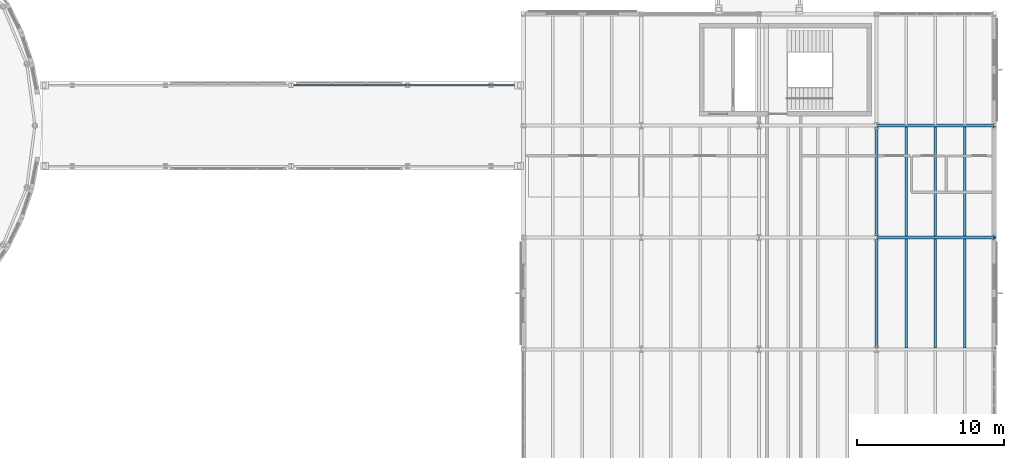
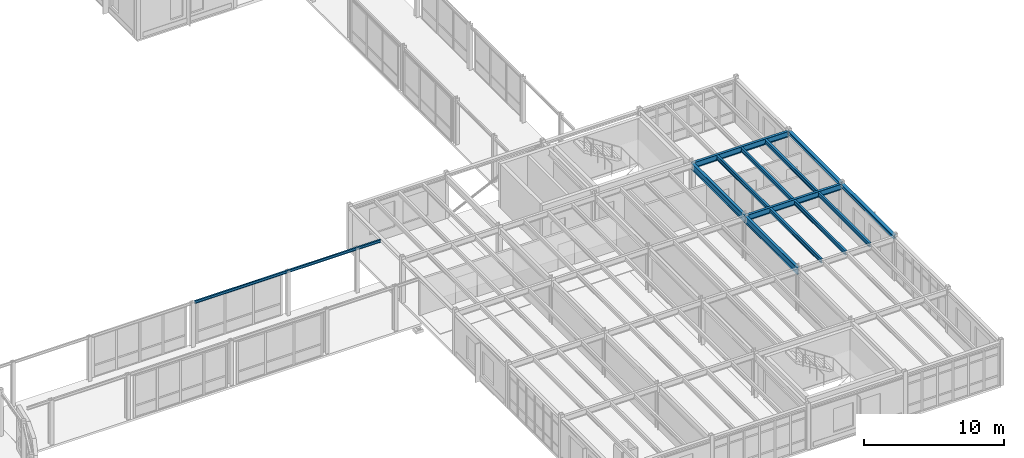
# One storey, part 103 of 165: 13 beams.
"""IFC4 building model written with IfcOpenShell, lengths in metres."""

import ifcopenshell
import ifcopenshell.guid

model = None  # the IFC model being written
_history = None  # IfcOwnerHistory: only IFC2X3 demands one
_inside = {}  # id of a spatial element -> (the spatial element, [elements in it])
_under = {}  # id of a project, library or spatial element -> (it, [spatial elements below it])
_declared = {}  # id of a project -> (the project, [libraries it declares])
_typed = {}  # id of a type object -> (the type object, [elements of that type])
_made_of = {}  # id of a material, layer set ... -> (it, [elements and type objects made of it])


def new_model(schema):
    """Start an empty IFC model of exactly this schema.

    Asked for "IFC4X3", IfcOpenShell would pick the latest addendum, in which some entities
    have other attributes; the version numbers below select the first issue.
    IFC2X3 requires an IfcOwnerHistory on every rooted entity: one is made here for all.
    """
    global model, _history
    if schema == "IFC4X3":
        model = ifcopenshell.file(schema_version=(4, 3, 0, 0))
    else:
        model = ifcopenshell.file(schema=schema)
    _inside.clear()
    _under.clear()
    _declared.clear()
    _typed.clear()
    _made_of.clear()
    _history = None
    if model.schema == "IFC2X3":
        org = make("IfcOrganization", Name="unknown")
        user = make(
            "IfcPersonAndOrganization",
            ThePerson=make("IfcPerson", FamilyName="unknown"),
            TheOrganization=org,
        )
        app = make(
            "IfcApplication",
            ApplicationDeveloper=org,
            Version="unknown",
            ApplicationFullName="unknown",
            ApplicationIdentifier="unknown",
        )
        _history = make(
            "IfcOwnerHistory",
            OwningUser=user,
            OwningApplication=app,
            ChangeAction="ADDED",
            CreationDate=0,
        )
    return model


def make(cls, **values):
    """One entity of the class cls with the attributes given. An attribute that is None is left unset."""
    return model.create_entity(
        cls, **{name: value for name, value in values.items() if value is not None}
    )


def rooted(cls, **values):
    """An entity with a GlobalId (a new one), such as an element, a storey or a relation."""
    return make(cls, GlobalId=ifcopenshell.guid.new(), OwnerHistory=_history, **values)


def si_unit(unit_type, name, prefix=None):
    """IfcSIUnit, for example si_unit("LENGTHUNIT", "METRE", prefix="MILLI")."""
    return make("IfcSIUnit", UnitType=unit_type, Prefix=prefix, Name=name)


def assignment(units):
    """IfcUnitAssignment: the units of a project."""
    return None if units is None else make("IfcUnitAssignment", Units=units)


def point(xyz):
    """IfcCartesianPoint."""
    return None if xyz is None else make("IfcCartesianPoint", Coordinates=xyz)


def direction(xyz):
    """IfcDirection."""
    return None if xyz is None else make("IfcDirection", DirectionRatios=xyz)


def frame(location, z_axis=None, x_axis=None):
    """IfcAxis2Placement3D, a coordinate frame: its origin and axes. An axis left out is left unset."""
    return make(
        "IfcAxis2Placement3D",
        Location=point(location),
        Axis=direction(z_axis),
        RefDirection=direction(x_axis),
    )


def frame_2d(location, x_axis=None):
    """IfcAxis2Placement2D, a coordinate frame in the plane: its origin and x axis."""
    return make(
        "IfcAxis2Placement2D", Location=point(location), RefDirection=direction(x_axis)
    )


def origin():
    """The frame at (0, 0, 0) with its axes left unset."""
    return frame((0.0, 0.0, 0.0))


def origin_2d():
    """The frame at (0, 0) in the plane with its x axis left unset."""
    return frame_2d((0.0, 0.0))


def place(relative_to, where):
    """IfcLocalPlacement: puts the frame where relative to a parent placement (None: the world)."""
    return make(
        "IfcLocalPlacement", PlacementRelTo=relative_to, RelativePlacement=where
    )


def context(
    kind, dimensions, precision=None, world=None, true_north=None, identifier=None
):
    """IfcGeometricRepresentationContext, for example the 3D "Model" context."""
    return make(
        "IfcGeometricRepresentationContext",
        ContextIdentifier=identifier,
        ContextType=kind,
        CoordinateSpaceDimension=dimensions,
        Precision=precision,
        WorldCoordinateSystem=world,
        TrueNorth=true_north,
    )


def subcontext(parent, identifier, kind, view, scale=None):
    """IfcGeometricRepresentationSubContext, for example "Body" below "Model"."""
    return make(
        "IfcGeometricRepresentationSubContext",
        ContextIdentifier=identifier,
        ContextType=kind,
        ParentContext=parent,
        TargetScale=scale,
        TargetView=view,
    )


def project(units=None, contexts=None):
    """IfcProject with its units and contexts."""
    return rooted(
        "IfcProject",
        Name="project",
        RepresentationContexts=contexts,
        UnitsInContext=assignment(units),
    )


def spatial(cls, under=None, at=None, **own):
    """A site, building, storey or space (cls), placed at a placement, below another one or the project."""
    s = rooted(cls, ObjectPlacement=at, **own)
    if under is not None:
        _under.setdefault(under.id(), (under, []))[1].append(s)
    return s


def profile(cls, at=None, kind="AREA", **sizes):
    """A parametric profile (cls). Its sizes go by their IFC names, for example OverallWidth=200.0."""
    return make(cls, ProfileType=kind, Position=at, **sizes)


def i_section(**sizes):
    """IfcIShapeProfileDef."""
    return profile("IfcIShapeProfileDef", **sizes)


def extrude(swept, where, along, depth):
    """IfcExtrudedAreaSolid: the profile swept, set in the frame where, extruded along a direction by depth."""
    return make(
        "IfcExtrudedAreaSolid",
        SweptArea=swept,
        Position=where,
        ExtrudedDirection=direction(along),
        Depth=depth,
    )


def shape(context_of_items, identifier, shape_type, items):
    """IfcShapeRepresentation: the items that make up one representation, for example the "Body"."""
    return make(
        "IfcShapeRepresentation",
        ContextOfItems=context_of_items,
        RepresentationIdentifier=identifier,
        RepresentationType=shape_type,
        Items=items,
    )


def material(Name=None, Category=None):
    """IfcMaterial."""
    return make("IfcMaterial", Name=Name, Category=Category)


def material_profile(
    of_material, cross_section, Name=None, Category=None, Priority=None
):
    """IfcMaterialProfile: a cross section and its material."""
    return make(
        "IfcMaterialProfile",
        Name=Name,
        Material=of_material,
        Profile=cross_section,
        Priority=Priority,
        Category=Category,
    )


def profile_set(profiles, Name=None, composite=None):
    """IfcMaterialProfileSet."""
    return make(
        "IfcMaterialProfileSet",
        Name=Name,
        MaterialProfiles=profiles,
        CompositeProfile=composite,
    )


def made_of(thing, what):
    """Note that an element or type object is made of a material, layer set ...; save() writes the relation."""
    if what is not None:
        _made_of.setdefault(what.id(), (what, []))[1].append(thing)
    return thing


def type_object(cls, material=None, **own):
    """A type object (cls), such as IfcWallType, which elements share."""
    return made_of(rooted(cls, **own), material)


def element(
    cls,
    number,
    at=None,
    inside=None,
    cuts=None,
    type_object=None,
    material=None,
    context=None,
    identifier="Body",
    shape_type=None,
    held_by="IfcProductDefinitionShape",
    body=None,
    shapes=None,
    **own,
):
    """One element of the class cls, such as IfcWall. Its Tag is "e" and its number.

    at: its placement. inside: the storey or other place that contains it. cuts: it is an
    opening in that element (IfcRelVoidsElement). A single representation is given by context,
    identifier, shape_type and body (its items); several are given by shapes. held_by: the class
    of the entity that holds the representations. save() writes the other relations.
    """
    e = rooted(cls, Tag="e%d" % number, ObjectPlacement=at, **own)
    if body is not None:
        shapes = [shape(context, identifier, shape_type, body)]
    if shapes is not None:
        e.Representation = make(held_by, Representations=shapes)
    if inside is not None:
        _inside.setdefault(inside.id(), (inside, []))[1].append(e)
    if cuts is not None:
        rooted(
            "IfcRelVoidsElement", RelatingBuildingElement=cuts, RelatedOpeningElement=e
        )
    if type_object is not None:
        _typed.setdefault(type_object.id(), (type_object, []))[1].append(e)
    return made_of(e, material)


def aggregate(whole, parts):
    """IfcRelAggregates: a whole, such as a stair, and the parts it consists of."""
    return rooted("IfcRelAggregates", RelatingObject=whole, RelatedObjects=parts)


def save(model, path):
    """Write the relations noted so far, then the file.

    IfcRelAggregates (storeys below a building ...), IfcRelContainedInSpatialStructure (elements
    in a storey), IfcRelDefinesByType, IfcRelAssociatesMaterial and IfcRelDeclares: one each for
    every whole, place, type object, material and project.
    """
    for whole, parts in _under.values():
        aggregate(whole, parts)
    for where, things in _inside.values():
        rooted(
            "IfcRelContainedInSpatialStructure",
            RelatedElements=things,
            RelatingStructure=where,
        )
    for kind, things in _typed.values():
        rooted("IfcRelDefinesByType", RelatedObjects=things, RelatingType=kind)
    for what, things in _made_of.values():
        rooted("IfcRelAssociatesMaterial", RelatedObjects=things, RelatingMaterial=what)
    for by, libraries in _declared.values():
        rooted("IfcRelDeclares", RelatingContext=by, RelatedDefinitions=libraries)
    model.write(path)


model = new_model("IFC4")

# Units and contexts
model_context = context("Model", 3, precision=1e-05, world=origin(), true_north=direction((0.0, 1.0)))
body_context = subcontext(model_context, "Body", "Model", "MODEL_VIEW")
ifc_project = project(units=[si_unit("LENGTHUNIT", "METRE"), si_unit("AREAUNIT", "SQUARE_METRE"), si_unit("VOLUMEUNIT", "CUBIC_METRE"), si_unit("PLANEANGLEUNIT", "RADIAN"), si_unit("MASSUNIT", "GRAM", prefix="KILO")], contexts=[model_context])

# Site, building, storey
site_placement = place(None, origin())
site = spatial("IfcSite", under=ifc_project, at=site_placement, CompositionType="ELEMENT")
building_placement = place(site_placement, origin())
building = spatial("IfcBuilding", under=site, at=building_placement, Name="Montecoro Central Library", CompositionType="ELEMENT")
storey_placement = place(building_placement, frame((0.0, 0.0, 5.10009765625)))
storey = spatial("IfcBuildingStorey", under=building, at=storey_placement, Name="L01", CompositionType="ELEMENT", Elevation=5.10009765625)

# Beams
ifc_material_1 = material(Name="Steel S355", Category="steel")
ifc_material_profile_1 = material_profile(ifc_material_1, i_section(OverallWidth=0.199951171875, OverallDepth=0.5, WebThickness=0.01025390625, FlangeThickness=0.01611328125, at=origin_2d()), Name="IPE 500")
ifc_profile_set_1 = profile_set([ifc_material_profile_1], Name="Steel S355")
beam_type_1 = type_object("IfcBeamType", Name="BM-G-IPE500", PredefinedType="USERDEFINED", material=ifc_profile_set_1)
for number, where, z_axis, x_axis, name in (
    (1, (165.0048828125, 27.800048828125, 3.574951171875), (1.0, 0.0, 0.0), (0.0, 1.0, 0.0), "V6-L01-BX-2122-D"),
    (2, (165.0048828125, 35.39990234375, 3.574951171875), (1.0, 0.0, 0.0), (0.0, 1.0, 0.0), "V6-L01-BX-2122-E"),
):
    element("IfcBeam", number, at=place(storey_placement, frame(where, z_axis=z_axis, x_axis=x_axis)), inside=storey, type_object=beam_type_1, Name=name, ObjectType="GIRDER", PredefinedType="USERDEFINED", context=body_context, shape_type="SweptSolid", body=[
        extrude(i_section(OverallWidth=0.199951171875, OverallDepth=0.5, WebThickness=0.01025390625, FlangeThickness=0.01611328125, at=origin_2d()), origin(), (0.0, 0.0, 1.0), 7.990234375),
    ])
ifc_material_2 = material(Name="Steel S355J2", Category="steel")
ifc_material_profile_2 = material_profile(ifc_material_2, i_section(OverallWidth=0.219970703125, OverallDepth=0.60009765625, WebThickness=0.011962890625, FlangeThickness=0.01904296875, at=origin_2d()), Name="IPE 600")
ifc_profile_set_2 = profile_set([ifc_material_profile_2], Name="Steel S355J2")
beam_type_2 = type_object("IfcBeamType", Name="BM-G-IPE600", PredefinedType="USERDEFINED", material=ifc_profile_set_2)
beam_1_placement = place(storey_placement, frame((165.0, 20.205078125, 3.52490234375), z_axis=(0.0, 1.0, 0.0), x_axis=(-1.0, 0.0, 0.0)))
element("IfcBeam", 3, at=beam_1_placement, inside=storey, type_object=beam_type_2, Name="V6-L01-BY-21-CD", ObjectType="GIRDER", PredefinedType="USERDEFINED", context=body_context, shape_type="SweptSolid", body=[
    extrude(i_section(OverallWidth=0.219970703125, OverallDepth=0.60009765625, WebThickness=0.011962890625, FlangeThickness=0.01904296875, at=origin_2d()), origin(), (0.0, 0.0, 1.0), 7.58984375),
])
beam_2_placement = place(storey_placement, frame((165.0, 27.804931640625, 3.52490234375), z_axis=(0.0, 1.0, 0.0), x_axis=(-1.0, 0.0, 0.0)))
element("IfcBeam", 4, at=beam_2_placement, inside=storey, type_object=beam_type_2, Name="V6-L01-BY-21-DE", ObjectType="GIRDER", PredefinedType="USERDEFINED", context=body_context, shape_type="SweptSolid", body=[
    extrude(i_section(OverallWidth=0.219970703125, OverallDepth=0.60009765625, WebThickness=0.011962890625, FlangeThickness=0.01904296875, at=origin_2d()), origin(), (0.0, 0.0, 1.0), 7.590087890625),
])
ifc_material_profile_3 = material_profile(ifc_material_1, i_section(OverallWidth=0.169921875, OverallDepth=0.360107421875, WebThickness=0.008056640625, FlangeThickness=0.0126953125, at=origin_2d()), Name="IPE 360")
ifc_profile_set_3 = profile_set([ifc_material_profile_3], Name="Steel S355")
beam_type_3 = type_object("IfcBeamType", Name="BM-J-IPE360", PredefinedType="JOIST", material=ifc_profile_set_3)
for number, where, z_axis, x_axis, name in (
    (5, (167.0, 20.297119140625, 3.64501953125), (0.0, 1.0, 0.0), (-1.0, 0.0, 0.0), "V6-L01-JS-2122-CD-1"),
    (6, (169.0, 20.297119140625, 3.64501953125), (0.0, 1.0, 0.0), (-1.0, 0.0, 0.0), "V6-L01-JS-2122-CD-2"),
    (7, (171.0, 20.297119140625, 3.64501953125), (0.0, 1.0, 0.0), (-1.0, 0.0, 0.0), "V6-L01-JS-2122-CD-3"),
):
    element("IfcBeam", number, at=place(storey_placement, frame(where, z_axis=z_axis, x_axis=x_axis)), inside=storey, type_object=beam_type_3, Name=name, PredefinedType="JOIST", context=body_context, shape_type="SweptSolid", body=[
        extrude(i_section(OverallWidth=0.169921875, OverallDepth=0.360107421875, WebThickness=0.008056640625, FlangeThickness=0.0126953125, at=origin_2d()), origin(), (0.0, 0.0, 1.0), 7.40576171875),
    ])
for number, where, z_axis, x_axis, name in (
    (8, (167.0, 27.89697265625, 3.64501953125), (0.0, 1.0, 0.0), (-1.0, 0.0, 0.0), "V6-L01-JS-2122-DE-1"),
    (9, (169.0, 27.89697265625, 3.64501953125), (0.0, 1.0, 0.0), (-1.0, 0.0, 0.0), "V6-L01-JS-2122-DE-2"),
    (10, (171.0, 27.89697265625, 3.64501953125), (0.0, 1.0, 0.0), (-1.0, 0.0, 0.0), "V6-L01-JS-2122-DE-3"),
):
    element("IfcBeam", number, at=place(storey_placement, frame(where, z_axis=z_axis, x_axis=x_axis)), inside=storey, type_object=beam_type_3, Name=name, PredefinedType="JOIST", context=body_context, shape_type="SweptSolid", body=[
        extrude(i_section(OverallWidth=0.169921875, OverallDepth=0.360107421875, WebThickness=0.008056640625, FlangeThickness=0.0126953125, at=origin_2d()), origin(), (0.0, 0.0, 1.0), 7.406005859375),
    ])
ifc_material_profile_4 = material_profile(ifc_material_1, i_section(OverallWidth=0.280029296875, OverallDepth=0.27001953125, WebThickness=0.008056640625, FlangeThickness=0.012939453125, at=origin_2d()), Name="HEA 280")
ifc_profile_set_4 = profile_set([ifc_material_profile_4], Name="Steel S355")
beam_type_4 = type_object("IfcBeamType", Name="BM-SP-HEA280", PredefinedType="SPANDREL", material=ifc_profile_set_4)
beam_3_placement = place(storey_placement, frame((173.0, 20.205078125, 3.68994140625), z_axis=(0.0, 1.0, 0.0), x_axis=(-1.0, 0.0, 0.0)))
element("IfcBeam", 11, at=beam_3_placement, inside=storey, type_object=beam_type_4, Name="V6-L01-BY-22-CD", PredefinedType="SPANDREL", context=body_context, shape_type="SweptSolid", body=[
    extrude(i_section(OverallWidth=0.280029296875, OverallDepth=0.27001953125, WebThickness=0.008056640625, FlangeThickness=0.012939453125, at=origin_2d()), origin(), (0.0, 0.0, 1.0), 7.58984375),
])
beam_4_placement = place(storey_placement, frame((173.0, 27.804931640625, 3.68994140625), z_axis=(0.0, 1.0, 0.0), x_axis=(-1.0, 0.0, 0.0)))
element("IfcBeam", 12, at=beam_4_placement, inside=storey, type_object=beam_type_4, Name="V6-L01-BY-22-DE", PredefinedType="SPANDREL", context=body_context, shape_type="SweptSolid", body=[
    extrude(i_section(OverallWidth=0.280029296875, OverallDepth=0.27001953125, WebThickness=0.008056640625, FlangeThickness=0.012939453125, at=origin_2d()), origin(), (0.0, 0.0, 1.0), 7.590087890625),
])
ifc_material_profile_5 = material_profile(ifc_material_1, i_section(OverallWidth=0.1201171875, OverallDepth=0.239990234375, WebThickness=0.006103515625, FlangeThickness=0.009765625, at=origin_2d()), Name="IPE 240")
ifc_profile_set_5 = profile_set([ifc_material_profile_5], Name="Steel S355")
beam_type_5 = type_object("IfcBeamType", Name="BM-SP-IPE240", PredefinedType="SPANDREL", material=ifc_profile_set_5)
beam_5_placement = place(storey_placement, frame((125.360107421875, 38.14990234375, 3.787841796875), z_axis=(1.0, 0.0, 0.0), x_axis=(0.0, 1.0, 0.0)))
element("IfcBeam", 13, at=beam_5_placement, inside=storey, type_object=beam_type_5, Name="BR-SE-ROOF-BM-N2", PredefinedType="SPANDREL", context=body_context, shape_type="SweptSolid", body=[
    extrude(i_section(OverallWidth=0.1201171875, OverallDepth=0.239990234375, WebThickness=0.006103515625, FlangeThickness=0.009765625, at=origin_2d()), origin(), (0.0, 0.0, 1.0), 15.419921875),
])

save(model, "model.ifc")
